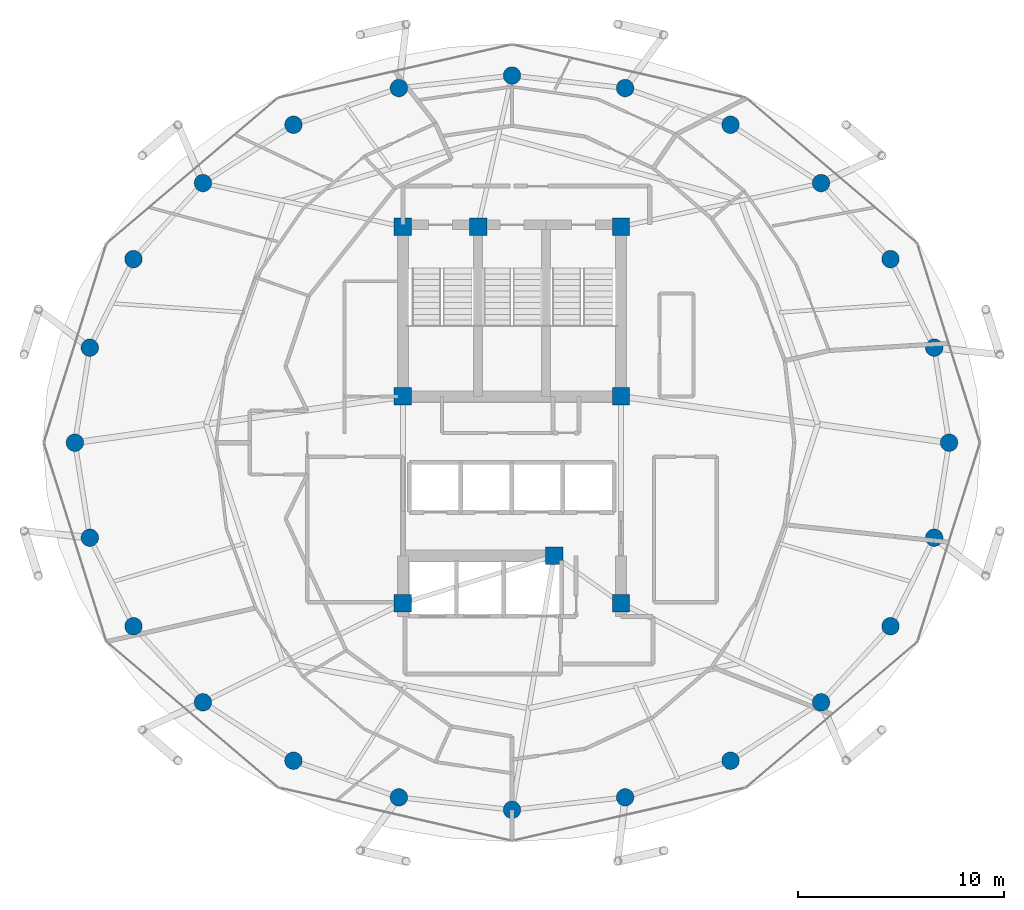
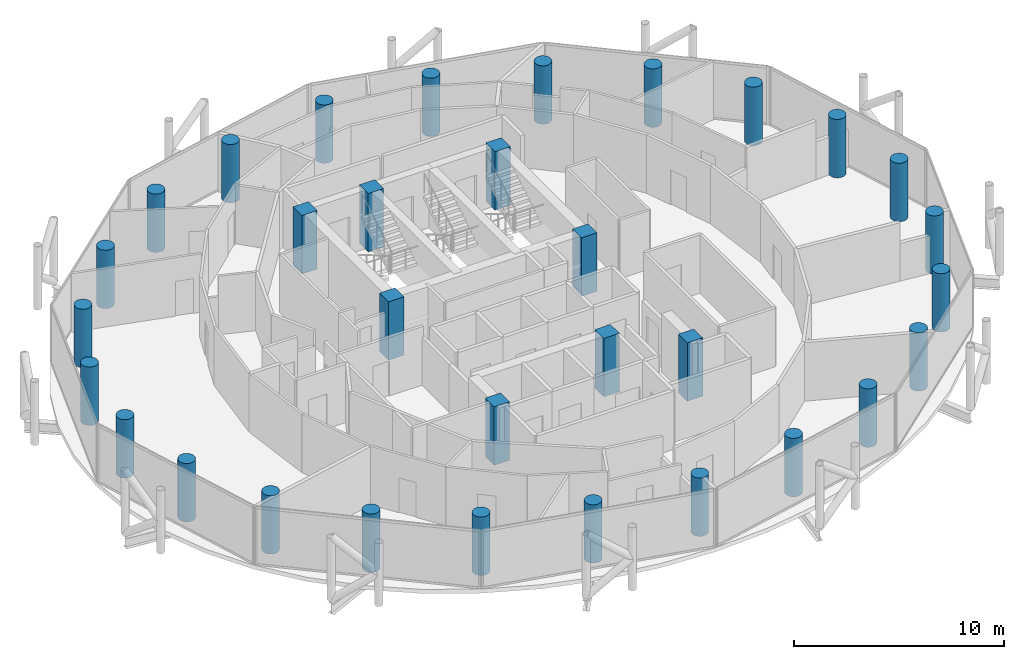
# One storey, part 1 of 27: 32 columns.
"""IFC4 building model written with IfcOpenShell, lengths in metres."""

from ifc_helpers import new_model, si_unit, direction, frame, origin, origin_2d, place, context, subcontext, project, spatial, rectangle, circle, extrude, material, material_profile, profile_set, type_object, element, save


model = new_model("IFC4")

# Units and contexts
model_context = context("Model", 3, precision=1e-05, world=origin(), true_north=direction((0.0, 1.0)))
body_context = subcontext(model_context, "Body", "Model", "MODEL_VIEW")
ifc_project = project(units=[si_unit("LENGTHUNIT", "METRE"), si_unit("AREAUNIT", "SQUARE_METRE"), si_unit("VOLUMEUNIT", "CUBIC_METRE"), si_unit("PLANEANGLEUNIT", "RADIAN"), si_unit("MASSUNIT", "GRAM", prefix="KILO")], contexts=[model_context])

# Site, building, storey
site_placement = place(None, origin())
site = spatial("IfcSite", under=ifc_project, at=site_placement, CompositionType="ELEMENT")
building_placement = place(site_placement, origin())
building = spatial("IfcBuilding", under=site, at=building_placement, Name="Nuhasar Tower", CompositionType="ELEMENT")
storey_placement = place(building_placement, frame((0.0, 0.0, 251.949951171875)))
storey = spatial("IfcBuildingStorey", under=building, at=storey_placement, Name="L62", CompositionType="ELEMENT", Elevation=251.949951171875)

# Columns
ifc_material = material(Name="Concrete C55/67", Category="concrete")
ifc_material_profile_1 = material_profile(ifc_material, circle(Radius=0.425048828125, at=origin_2d()), Name="CFT850")
ifc_profile_set_1 = profile_set([ifc_material_profile_1], Name="Concrete C55/67")
column_type_1 = type_object("IfcColumnType", Name="COL-CFT-850", PredefinedType="COLUMN", material=ifc_profile_set_1)
for number, where, z_axis, x_axis, name in (
    (1, (60.25, 26.800048828125, 0.0), (0.0, 0.0, 1.0), (1.0, 0.0, 0.0), "L62 Perimeter Composite Column TC-01"),
    (2, (59.52587890625, 31.419921875, 0.0), (0.0, 0.0, 1.0), (1.0, 0.0, 0.0), "L62 Perimeter Composite Column TC-02"),
    (3, (57.403076171875, 35.72509765625, 0.0), (0.0, 0.0, 1.0), (1.0, 0.0, 0.0), "L62 Perimeter Composite Column TC-03"),
    (4, (54.02587890625, 39.422119140625, 0.0), (0.0, 0.0, 1.0), (1.0, 0.0, 0.0), "L62 Perimeter Composite Column TC-04"),
    (5, (49.625, 42.259033203125, 0.0), (0.0, 0.0, 1.0), (1.0, 0.0, 0.0), "L62 Perimeter Composite Column TC-05"),
    (6, (44.5, 44.0419921875, 0.0), (0.0, 0.0, 1.0), (1.0, 0.0, 0.0), "L62 Perimeter Composite Column TC-06"),
    (7, (39.0, 44.64990234375, 0.0), (0.0, 0.0, 1.0), (1.0, 0.0, 0.0), "L62 Perimeter Composite Column TC-07"),
    (8, (33.5, 44.0419921875, 0.0), (0.0, 0.0, 1.0), (1.0, 0.0, 0.0), "L62 Perimeter Composite Column TC-08"),
    (9, (28.375, 42.259033203125, 0.0), (0.0, 0.0, 1.0), (1.0, 0.0, 0.0), "L62 Perimeter Composite Column TC-09"),
    (10, (23.97412109375, 39.422119140625, 0.0), (0.0, 0.0, 1.0), (1.0, 0.0, 0.0), "L62 Perimeter Composite Column TC-10"),
    (11, (20.596923828125, 35.72509765625, 0.0), (0.0, 0.0, 1.0), (1.0, 0.0, 0.0), "L62 Perimeter Composite Column TC-11"),
    (12, (18.47412109375, 31.419921875, 0.0), (0.0, 0.0, 1.0), (1.0, 0.0, 0.0), "L62 Perimeter Composite Column TC-12"),
    (13, (17.75, 26.800048828125, 0.0), (0.0, 0.0, 1.0), (1.0, 0.0, 0.0), "L62 Perimeter Composite Column TC-13"),
    (14, (18.47412109375, 22.179931640625, 0.0), (0.0, 0.0, 1.0), (1.0, 0.0, 0.0), "L62 Perimeter Composite Column TC-14"),
    (15, (20.596923828125, 17.875, 0.0), (0.0, 0.0, 1.0), (1.0, 0.0, 0.0), "L62 Perimeter Composite Column TC-15"),
    (16, (23.97412109375, 14.177978515625, 0.0), (0.0, 0.0, 1.0), (1.0, 0.0, 0.0), "L62 Perimeter Composite Column TC-16"),
    (17, (28.375, 11.341064453125, 0.0), (0.0, 0.0, 1.0), (1.0, 0.0, 0.0), "L62 Perimeter Composite Column TC-17"),
    (18, (33.5, 9.55810546875, 0.0), (0.0, 0.0, 1.0), (1.0, 0.0, 0.0), "L62 Perimeter Composite Column TC-18"),
    (19, (39.0, 8.949951171875, 0.0), (0.0, 0.0, 1.0), (1.0, 0.0, 0.0), "L62 Perimeter Composite Column TC-19"),
    (20, (44.5, 9.55810546875, 0.0), (0.0, 0.0, 1.0), (1.0, 0.0, 0.0), "L62 Perimeter Composite Column TC-20"),
    (21, (49.625, 11.341064453125, 0.0), (0.0, 0.0, 1.0), (1.0, 0.0, 0.0), "L62 Perimeter Composite Column TC-21"),
    (22, (54.02587890625, 14.177978515625, 0.0), (0.0, 0.0, 1.0), (1.0, 0.0, 0.0), "L62 Perimeter Composite Column TC-22"),
    (23, (57.403076171875, 17.875, 0.0), (0.0, 0.0, 1.0), (1.0, 0.0, 0.0), "L62 Perimeter Composite Column TC-23"),
    (24, (59.52587890625, 22.179931640625, 0.0), (0.0, 0.0, 1.0), (1.0, 0.0, 0.0), "L62 Perimeter Composite Column TC-24"),
):
    element("IfcColumn", number, at=place(storey_placement, frame(where, z_axis=z_axis, x_axis=x_axis)), inside=storey, type_object=column_type_1, Name=name, PredefinedType="COLUMN", context=body_context, shape_type="SweptSolid", body=[
        extrude(circle(Radius=0.425048828125, at=origin_2d()), origin(), (0.0, 0.0, 1.0), 3.39013671875),
    ])
ifc_material_profile_2 = material_profile(ifc_material, rectangle(XDim=0.85009765625, YDim=0.85009765625, at=origin_2d()), Name="RC850X850")
ifc_profile_set_2 = profile_set([ifc_material_profile_2], Name="Concrete C55/67")
column_type_2 = type_object("IfcColumnType", Name="PIL-RC-850", PredefinedType="PILASTER", material=ifc_profile_set_2)
for number, where, z_axis, x_axis, name in (
    (25, (33.699951171875, 19.0, 0.0), (0.0, 0.0, 1.0), (1.0, 0.0, 0.0), "L62 Core Boundary Pilaster CC-01"),
    (26, (41.050048828125, 21.300048828125, 0.0), (0.0, 0.0, 1.0), (1.0, 0.0, 0.0), "L62 Core Boundary Pilaster CC-02"),
    (27, (44.300048828125, 19.0, 0.0), (0.0, 0.0, 1.0), (1.0, 0.0, 0.0), "L62 Core Boundary Pilaster CC-03"),
    (28, (44.300048828125, 29.050048828125, 0.0), (0.0, 0.0, 1.0), (1.0, 0.0, 0.0), "L62 Core Boundary Pilaster CC-04"),
    (29, (44.300048828125, 37.300048828125, 0.0), (0.0, 0.0, 1.0), (1.0, 0.0, 0.0), "L62 Core Boundary Pilaster CC-05"),
    (30, (37.35009765625, 37.300048828125, 0.0), (0.0, 0.0, 1.0), (1.0, 0.0, 0.0), "L62 Core Boundary Pilaster CC-06"),
    (31, (33.699951171875, 37.300048828125, 0.0), (0.0, 0.0, 1.0), (1.0, 0.0, 0.0), "L62 Core Boundary Pilaster CC-07"),
    (32, (33.699951171875, 29.050048828125, 0.0), (0.0, 0.0, 1.0), (1.0, 0.0, 0.0), "L62 Core Boundary Pilaster CC-08"),
):
    element("IfcColumn", number, at=place(storey_placement, frame(where, z_axis=z_axis, x_axis=x_axis)), inside=storey, type_object=column_type_2, Name=name, PredefinedType="PILASTER", context=body_context, shape_type="SweptSolid", body=[
        extrude(rectangle(XDim=0.85009765625, YDim=0.85009765625, at=origin_2d()), origin(), (0.0, 0.0, 1.0), 3.39013671875),
    ])

save(model, "model.ifc")
